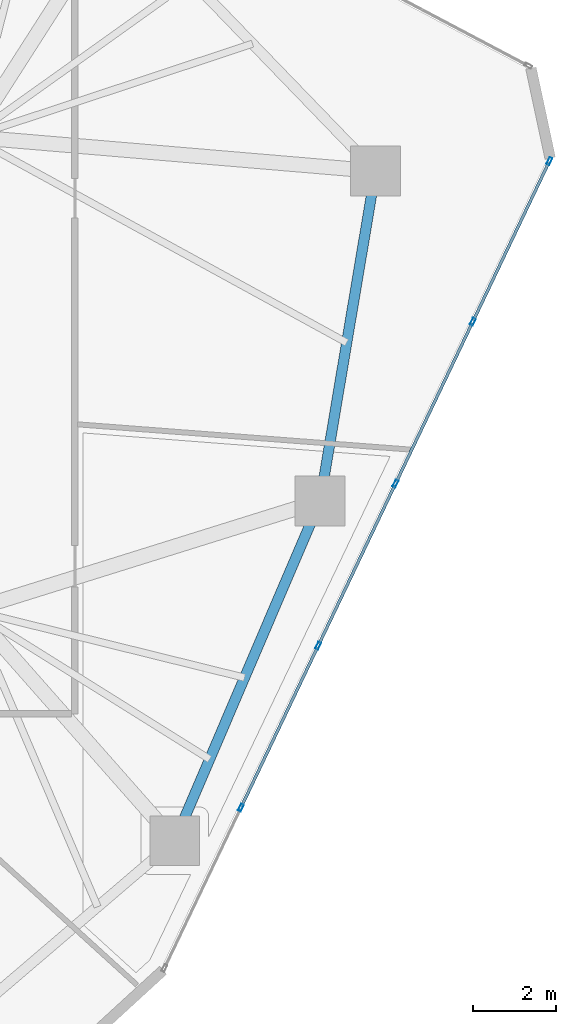
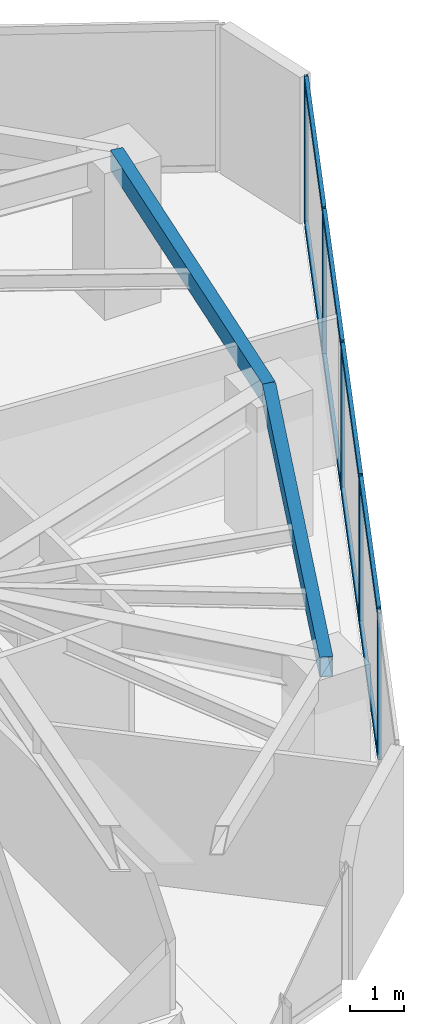
# One storey, part 10 of 22: 13 members, 2 beams, 1 element without a shape of its own.
"""IFC4 building model written with IfcOpenShell, lengths in metres."""

from ifc_helpers import new_model, si_unit, direction, frame, origin, origin_2d, place, context, subcontext, project, spatial, hollow_rectangle, extrude, source, transform, mapped, material, layer, layer_set, material_profile, profile_set, type_object, type_shapes, element, aggregate, save


model = new_model("IFC4")

# Units and contexts
model_context = context("Model", 3, precision=1e-05, world=origin(), true_north=direction((0.0, 1.0)))
body_context = subcontext(model_context, "Body", "Model", "MODEL_VIEW")
ifc_project = project(units=[si_unit("LENGTHUNIT", "METRE"), si_unit("AREAUNIT", "SQUARE_METRE"), si_unit("VOLUMEUNIT", "CUBIC_METRE"), si_unit("PLANEANGLEUNIT", "RADIAN"), si_unit("MASSUNIT", "GRAM", prefix="KILO")], contexts=[model_context])

# Site, building, storey
site_placement = place(None, origin())
site = spatial("IfcSite", under=ifc_project, at=site_placement, CompositionType="ELEMENT")
building_placement = place(site_placement, origin())
building = spatial("IfcBuilding", under=site, at=building_placement, Name="Talar Marvaseh", CompositionType="ELEMENT")
storey_placement = place(building_placement, frame((0.0, 0.0, 150.60009765625)))
storey = spatial("IfcBuildingStorey", under=building, at=storey_placement, Name="L39", CompositionType="ELEMENT", Elevation=150.60009765625)

# Beams
ifc_material_1 = material(Name="Steel S355", Category="steel")
ifc_material_profile_1 = material_profile(ifc_material_1, hollow_rectangle(XDim=0.25, YDim=0.449951171875, WallThickness=0.01611328125, at=origin_2d()), Name="RHS450x250x16")
ifc_profile_set_1 = profile_set([ifc_material_profile_1], Name="Steel S355")
beam_type = type_object("IfcBeamType", Name="Zone 2 Perimeter Spandrel Beam RHS450x250x16", PredefinedType="SPANDREL", material=ifc_profile_set_1)
beam_1_placement = place(storey_placement, frame((43.0439453125, 36.075927734375, 3.0849609375), z_axis=(-0.165641685249, -0.986186002795, 0.0), x_axis=(0.986186002795, -0.165641685249, 0.0)))
element("IfcBeam", 1, at=beam_1_placement, inside=storey, type_object=beam_type, Name="L39 Zone 2 Perimeter Spandrel Beam RHS450x250x16", PredefinedType="SPANDREL", context=body_context, shape_type="SweptSolid", body=[
    extrude(hollow_rectangle(XDim=0.25, YDim=0.449951171875, WallThickness=0.01611328125, at=origin_2d()), origin(), (0.0, 0.0, 1.0), 8.059326171875),
])
beam_2_placement = place(storey_placement, frame((41.708984375, 28.1279296875, 3.0849609375), z_axis=(-0.393369955619, -0.919380268451, 0.0), x_axis=(0.919380268451, -0.393369955619, 0.0)))
element("IfcBeam", 2, at=beam_2_placement, inside=storey, type_object=beam_type, Name="L39 Zone 2 Perimeter Spandrel Beam RHS450x250x16", PredefinedType="SPANDREL", context=body_context, shape_type="SweptSolid", body=[
    extrude(hollow_rectangle(XDim=0.25, YDim=0.449951171875, WallThickness=0.01611328125, at=origin_2d()), origin(), (0.0, 0.0, 1.0), 8.905029296875),
])

# Curtain wall, members
ifc_material_2 = material(Name="Architectural Aluminium", Category="aluminium")
ifc_layer = layer(ifc_material_2, 0.199951171875)
ifc_layer_set = layer_set([ifc_layer], Name="Architectural Aluminium")
curtain_wall_type = type_object("IfcCurtainWallType", Name="Unitised Acoustic Library Curtain Wall Z2", PredefinedType="NOTDEFINED", material=ifc_layer_set)
curtain_wall_placement = place(storey_placement, origin())
curtain_wall = element("IfcCurtainWall", 3, at=curtain_wall_placement, inside=storey, type_object=curtain_wall_type, Name="L39 Unitised Acoustic Library Curtain Wall Z2", PredefinedType="NOTDEFINED")
ifc_material_profile_2 = material_profile(ifc_material_2, hollow_rectangle(XDim=0.074951171875, YDim=0.179931640625, WallThickness=0.0048828125, at=origin_2d()), Name="RHS180x75x5")
ifc_profile_set_2 = profile_set([ifc_material_profile_2], Name="Architectural Aluminium")
member_type_1 = type_object("IfcMemberType", Name="Unitised Curtain Wall Transom RHS180x75x5", PredefinedType="USERDEFINED", material=ifc_profile_set_2)
shared_shape_1 = source(origin(), body_context, "Body", "SweptSolid", [
    extrude(hollow_rectangle(XDim=0.074951171875, YDim=0.179931640625, WallThickness=0.0048828125, at=origin_2d()), origin(), (0.0, 0.0, 1.0), 4.24853515625),
])
member_1_placement = place(storey_placement, frame((41.64697265625, 24.609375, 0.037353515625), z_axis=(-0.430633851053, -0.902526723331, 0.0), x_axis=(0.902526723331, -0.430633851053, 0.0)))
member_1 = element("IfcMember", 4, at=member_1_placement, type_object=member_type_1, Name="CW-Z2 transom 4.1", ObjectType="TRANSOM", PredefinedType="USERDEFINED", context=body_context, shape_type="MappedRepresentation", body=[
    mapped(shared_shape_1, transform((0.0, 0.0, 0.0), x_axis=(1.0, 0.0, 0.0), y_axis=(0.0, 1.0, 0.0), z_axis=(0.0, 0.0, 1.0), scale=1.0)),
])
member_2_placement = place(storey_placement, frame((41.64697265625, 24.609375, 3.2724609375), z_axis=(-0.430633851053, -0.902526723331, 0.0), x_axis=(0.902526723331, -0.430633851053, 0.0)))
member_2 = element("IfcMember", 5, at=member_2_placement, type_object=member_type_1, Name="CW-Z2 transom 4.2", ObjectType="TRANSOM", PredefinedType="USERDEFINED", context=body_context, shape_type="MappedRepresentation", body=[
    mapped(shared_shape_1, transform((0.0, 0.0, 0.0), x_axis=(1.0, 0.0, 0.0), y_axis=(0.0, 1.0, 0.0), z_axis=(0.0, 0.0, 1.0), scale=1.0)),
])
shared_shape_2 = source(origin(), body_context, "Body", "SweptSolid", [
    extrude(hollow_rectangle(XDim=0.074951171875, YDim=0.179931640625, WallThickness=0.0048828125, at=origin_2d()), origin(), (0.0, 0.0, 1.0), 4.248291015625),
])
member_3_placement = place(storey_placement, frame((45.370849609375, 32.413330078125, 0.037353515625), z_axis=(-0.430656185884, -0.902516066095, 0.0), x_axis=(0.902516066095, -0.430656185884, 0.0)))
member_3 = element("IfcMember", 6, at=member_3_placement, type_object=member_type_1, Name="CW-Z2 transom 2.1", ObjectType="TRANSOM", PredefinedType="USERDEFINED", context=body_context, shape_type="MappedRepresentation", body=[
    mapped(shared_shape_2, transform((0.0, 0.0, 0.0), x_axis=(1.0, 0.0, 0.0), y_axis=(0.0, 1.0, 0.0), z_axis=(0.0, 0.0, 1.0), scale=1.0)),
])
member_4_placement = place(storey_placement, frame((45.370849609375, 32.413330078125, 3.2724609375), z_axis=(-0.430656185884, -0.902516066095, 0.0), x_axis=(0.902516066095, -0.430656185884, 0.0)))
member_4 = element("IfcMember", 7, at=member_4_placement, type_object=member_type_1, Name="CW-Z2 transom 2.2", ObjectType="TRANSOM", PredefinedType="USERDEFINED", context=body_context, shape_type="MappedRepresentation", body=[
    mapped(shared_shape_2, transform((0.0, 0.0, 0.0), x_axis=(1.0, 0.0, 0.0), y_axis=(0.0, 1.0, 0.0), z_axis=(0.0, 0.0, 1.0), scale=1.0)),
])
member_5_placement = place(storey_placement, frame((43.509033203125, 28.51123046875, 0.037353515625), z_axis=(-0.430656185884, -0.902516066095, 0.0), x_axis=(0.902516066095, -0.430656185884, 0.0)))
member_5 = element("IfcMember", 8, at=member_5_placement, type_object=member_type_1, Name="CW-Z2 transom 3.1", ObjectType="TRANSOM", PredefinedType="USERDEFINED", context=body_context, shape_type="MappedRepresentation", body=[
    mapped(shared_shape_2, transform((0.0, 0.0, 0.0), x_axis=(1.0, 0.0, 0.0), y_axis=(0.0, 1.0, 0.0), z_axis=(0.0, 0.0, 1.0), scale=1.0)),
])
member_6_placement = place(storey_placement, frame((43.509033203125, 28.51123046875, 3.2724609375), z_axis=(-0.430656185884, -0.902516066095, 0.0), x_axis=(0.902516066095, -0.430656185884, 0.0)))
member_6 = element("IfcMember", 9, at=member_6_placement, type_object=member_type_1, Name="CW-Z2 transom 3.2", ObjectType="TRANSOM", PredefinedType="USERDEFINED", context=body_context, shape_type="MappedRepresentation", body=[
    mapped(shared_shape_2, transform((0.0, 0.0, 0.0), x_axis=(1.0, 0.0, 0.0), y_axis=(0.0, 1.0, 0.0), z_axis=(0.0, 0.0, 1.0), scale=1.0)),
])
ifc_material_profile_3 = material_profile(ifc_material_2, hollow_rectangle(XDim=0.074951171875, YDim=0.179931640625, WallThickness=0.0048828125, at=origin_2d()), Name="RHS180x75x5")
ifc_profile_set_3 = profile_set([ifc_material_profile_3], Name="Architectural Aluminium")
member_type_2 = type_object("IfcMemberType", Name="Unitised Curtain Wall Standard Mullion RHS180x75x5", PredefinedType="MULLION", material=ifc_profile_set_3)
shared_shape_3 = source(origin(), body_context, "Body", "SweptSolid", [
    extrude(hollow_rectangle(XDim=0.074951171875, YDim=0.179931640625, WallThickness=0.0048828125, at=origin_2d()), origin(), (0.0, 0.0, 1.0), 3.309814453125),
])
type_shapes(member_type_2, [shared_shape_3])
member_7_placement = place(storey_placement, frame((47.23291015625, 36.3154296875, 0.0), z_axis=(0.0, 0.0, 1.0), x_axis=(0.902517611259, -0.430652947706, 0.0)))
member_7 = element("IfcMember", 10, at=member_7_placement, type_object=member_type_2, Name="CW-Z2 mullion 1", PredefinedType="MULLION", context=body_context, shape_type="MappedRepresentation", body=[
    mapped(shared_shape_3, transform((0.0, 0.0, 0.0), x_axis=(1.0, 0.0, 0.0), y_axis=(0.0, 1.0, 0.0), z_axis=(0.0, 0.0, 1.0), scale=1.0)),
])
member_8_placement = place(storey_placement, frame((45.386962890625, 32.447265625, 0.0), z_axis=(0.0, 0.0, 1.0), x_axis=(0.902517611259, -0.430652947706, 0.0)))
member_8 = element("IfcMember", 11, at=member_8_placement, type_object=member_type_2, Name="CW-Z2 mullion 2", PredefinedType="MULLION", context=body_context, shape_type="MappedRepresentation", body=[
    mapped(shared_shape_3, transform((0.0, 0.0, 0.0), x_axis=(1.0, 0.0, 0.0), y_axis=(0.0, 1.0, 0.0), z_axis=(0.0, 0.0, 1.0), scale=1.0)),
])
member_9_placement = place(storey_placement, frame((43.525146484375, 28.545166015625, 0.0), z_axis=(0.0, 0.0, 1.0), x_axis=(0.902517611259, -0.430652947706, 0.0)))
member_9 = element("IfcMember", 12, at=member_9_placement, type_object=member_type_2, Name="CW-Z2 mullion 3", PredefinedType="MULLION", context=body_context, shape_type="MappedRepresentation", body=[
    mapped(shared_shape_3, transform((0.0, 0.0, 0.0), x_axis=(1.0, 0.0, 0.0), y_axis=(0.0, 1.0, 0.0), z_axis=(0.0, 0.0, 1.0), scale=1.0)),
])
member_10_placement = place(storey_placement, frame((41.6630859375, 24.64306640625, 0.0), z_axis=(0.0, 0.0, 1.0), x_axis=(0.902517611259, -0.430652947706, 0.0)))
member_10 = element("IfcMember", 13, at=member_10_placement, type_object=member_type_2, Name="CW-Z2 mullion 4", PredefinedType="MULLION", context=body_context, shape_type="MappedRepresentation", body=[
    mapped(shared_shape_3, transform((0.0, 0.0, 0.0), x_axis=(1.0, 0.0, 0.0), y_axis=(0.0, 1.0, 0.0), z_axis=(0.0, 0.0, 1.0), scale=1.0)),
])
member_11_placement = place(storey_placement, frame((39.80126953125, 20.740966796875, 0.0), z_axis=(0.0, 0.0, 1.0), x_axis=(0.902517611259, -0.430652947706, 0.0)))
member_11 = element("IfcMember", 14, at=member_11_placement, type_object=member_type_2, Name="CW-Z2 mullion 5", PredefinedType="MULLION", context=body_context, shape_type="MappedRepresentation", body=[
    mapped(shared_shape_3, transform((0.0, 0.0, 0.0), x_axis=(1.0, 0.0, 0.0), y_axis=(0.0, 1.0, 0.0), z_axis=(0.0, 0.0, 1.0), scale=1.0)),
])
shared_shape_4 = source(origin(), body_context, "Body", "SweptSolid", [
    extrude(hollow_rectangle(XDim=0.074951171875, YDim=0.179931640625, WallThickness=0.0048828125, at=origin_2d()), origin(), (0.0, 0.0, 1.0), 4.210693359375),
])
type_shapes(member_type_1, [shared_shape_1, shared_shape_2, shared_shape_4])
member_12_placement = place(storey_placement, frame((47.216796875, 36.281494140625, 0.037353515625), z_axis=(-0.430671630232, -0.902508696309, 0.0), x_axis=(0.902508696309, -0.430671630232, 0.0)))
member_12 = element("IfcMember", 15, at=member_12_placement, type_object=member_type_1, Name="CW-Z2 transom 1.1", ObjectType="TRANSOM", PredefinedType="USERDEFINED", context=body_context, shape_type="MappedRepresentation", body=[
    mapped(shared_shape_4, transform((0.0, 0.0, 0.0), x_axis=(1.0, 0.0, 0.0), y_axis=(0.0, 1.0, 0.0), z_axis=(0.0, 0.0, 1.0), scale=1.0)),
])
member_13_placement = place(storey_placement, frame((47.216796875, 36.281494140625, 3.2724609375), z_axis=(-0.430671630232, -0.902508696309, 0.0), x_axis=(0.902508696309, -0.430671630232, 0.0)))
member_13 = element("IfcMember", 16, at=member_13_placement, type_object=member_type_1, Name="CW-Z2 transom 1.2", ObjectType="TRANSOM", PredefinedType="USERDEFINED", context=body_context, shape_type="MappedRepresentation", body=[
    mapped(shared_shape_4, transform((0.0, 0.0, 0.0), x_axis=(1.0, 0.0, 0.0), y_axis=(0.0, 1.0, 0.0), z_axis=(0.0, 0.0, 1.0), scale=1.0)),
])
aggregate(curtain_wall, [member_7, member_8, member_9, member_10, member_11, member_12, member_13, member_3, member_4, member_5, member_6, member_1, member_2])

save(model, "model.ifc")
